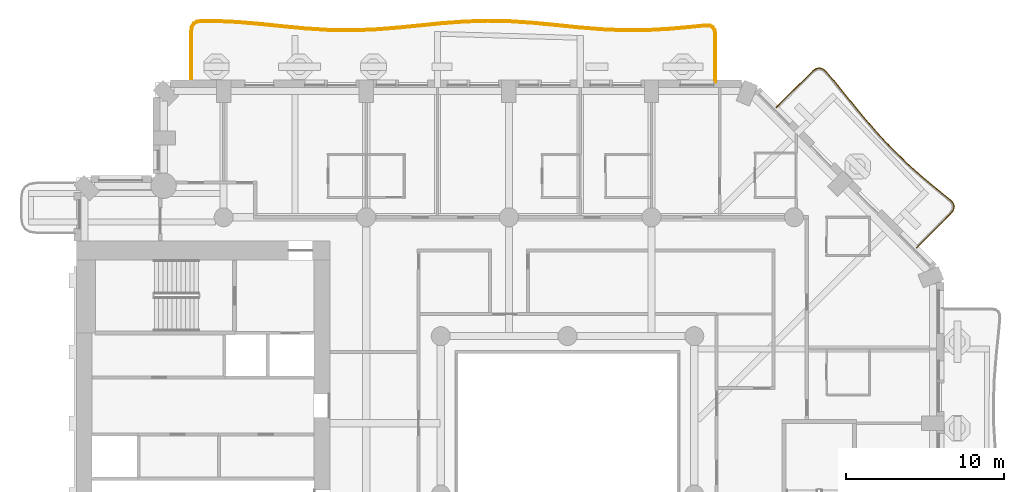
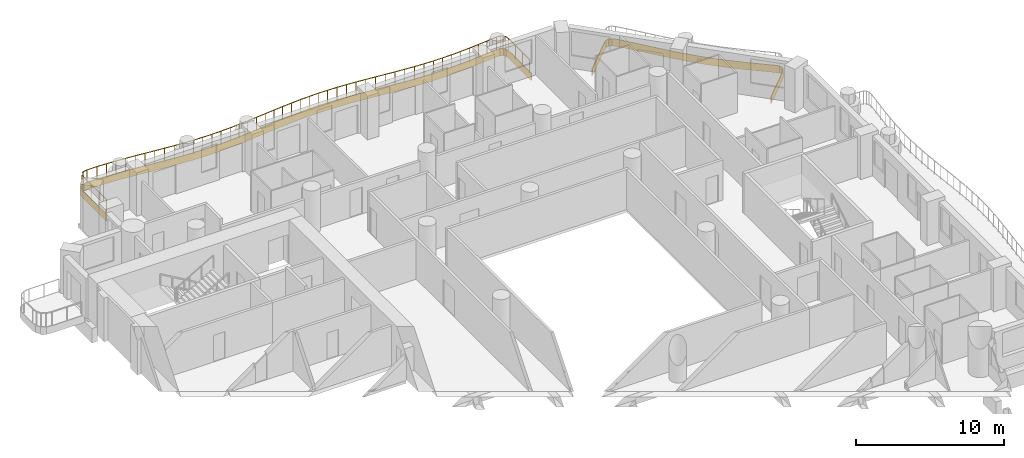
# One storey, part 18 of 20: 2 coverings, 1 railing.
"""IFC4 building model written with IfcOpenShell, lengths in metres."""

from ifc_helpers import new_model, si_unit, direction, frame, origin, origin_2d, place, context, subcontext, project, spatial, polyline, rectangle, outline, extrude, material, layer, layer_set, type_object, element, save


model = new_model("IFC4")

# Units and contexts
model_context = context("Model", 3, precision=1e-05, world=origin(), true_north=direction((0.0, 1.0)))
body_context = subcontext(model_context, "Body", "Model", "MODEL_VIEW")
ifc_project = project(units=[si_unit("LENGTHUNIT", "METRE"), si_unit("AREAUNIT", "SQUARE_METRE"), si_unit("VOLUMEUNIT", "CUBIC_METRE"), si_unit("PLANEANGLEUNIT", "RADIAN"), si_unit("MASSUNIT", "GRAM", prefix="KILO")], contexts=[model_context])

# Site, building, storey
site_placement = place(None, origin())
site = spatial("IfcSite", under=ifc_project, at=site_placement, CompositionType="ELEMENT")
building_placement = place(site_placement, origin())
building = spatial("IfcBuilding", under=site, at=building_placement, Name="Cypress Arch Tower", CompositionType="ELEMENT")
storey_placement = place(building_placement, frame((0.0, 0.0, 59.10009765625)))
storey = spatial("IfcBuildingStorey", under=building, at=storey_placement, Name="L08", CompositionType="ELEMENT", Elevation=59.10009765625)

# Coverings
ifc_material_1 = material(Name="White powder-coated aluminium fascia", Category="aluminium")
ifc_layer = layer(ifc_material_1, 0.050048828125)
ifc_layer_set = layer_set([ifc_layer], Name="Balcony fascia BF50")
covering_type = type_object("IfcCoveringType", Name="Balcony fascia BF50", PredefinedType="CLADDING", material=ifc_layer_set)
covering_1_placement = place(storey_placement, frame((0.0, 0.0, -0.60009765625)))
element("IfcCovering", 1, at=covering_1_placement, inside=storey, type_object=covering_type, Name="Balcony fascia L08-A07", PredefinedType="CLADDING", context=body_context, shape_type="SweptSolid", body=[
    extrude(outline(polyline([(16.43408203125, 26.72265625), (16.664306640625, 26.89501953125), (16.902099609375, 26.949462890625), (17.135009765625, 26.87646484375), (17.350830078125, 26.686767578125), (17.85009765625, 26.102294921875), (18.731201171875, 25.02294921875), (19.6123046875, 23.9453125), (20.51611328125, 22.89208984375), (21.460205078125, 21.879638671875), (22.452392578125, 20.915771484375), (23.489990234375, 19.99658203125), (24.559814453125, 19.1083984375), (25.1572265625, 18.623291015625), (25.35205078125, 18.412109375), (25.428955078125, 18.18212890625), (25.376220703125, 17.945556640625), (25.2041015625, 17.71533203125), (23.045166015625, 15.556396484375), (23.009765625, 15.591796875), (25.166259765625, 17.748291015625), (25.329833984375, 17.966796875), (25.376953125, 18.179443359375), (25.30810546875, 18.385986328125), (25.122802734375, 18.586669921875), (24.528076171875, 19.069580078125), (23.45751953125, 19.95849609375), (22.41845703125, 20.879150390625), (21.424560546875, 21.8447265625), (20.47900390625, 22.858642578125), (19.573974609375, 23.913330078125), (18.6923828125, 24.9912109375), (17.811767578125, 26.070068359375), (17.315185546875, 26.6513671875), (17.10986328125, 26.83203125), (16.900146484375, 26.897705078125), (16.685791015625, 26.8486328125), (16.466796875, 26.684814453125), (14.191650390625, 24.40966796875), (14.15625, 24.445068359375), (16.43408203125, 26.72265625)])), origin(), (0.0, 0.0, 1.0), 0.60009765625),
])
covering_2_placement = place(storey_placement, frame((0.0, 0.0, -0.60009765625)))
element("IfcCovering", 2, at=covering_2_placement, inside=storey, type_object=covering_type, Name="Balcony fascia L08-A08", PredefinedType="CLADDING", context=body_context, shape_type="SweptSolid", body=[
    extrude(outline(polyline([(-22.800048828125, 29.242919921875), (-22.757568359375, 29.539794921875), (-22.62451171875, 29.76220703125), (-22.403076171875, 29.896240234375), (-22.106201171875, 29.93994140625), (-21.309814453125, 29.943603515625), (-19.868408203125, 29.877685546875), (-18.427978515625, 29.755615234375), (-16.988525390625, 29.607421875), (-15.55029296875, 29.4697265625), (-14.113037109375, 29.37646484375), (-12.676513671875, 29.350830078125), (-11.23974609375, 29.399169921875), (-9.80224609375, 29.50927734375), (-8.36376953125, 29.654052734375), (-6.923828125, 29.798095703125), (-5.483154296875, 29.905517578125), (-4.04150390625, 29.94970703125), (-2.60009765625, 29.919677734375), (-1.158935546875, 29.822998046875), (0.281005859375, 29.68359375), (1.7197265625, 29.535888671875), (3.157470703125, 29.41650390625), (4.59423828125, 29.354736328125), (6.031005859375, 29.36572265625), (7.468017578125, 29.447021484375), (8.906005859375, 29.578369140625), (9.700927734375, 29.66064453125), (9.99853515625, 29.648681640625), (10.222900390625, 29.53662109375), (10.357421875, 29.324951171875), (10.39990234375, 29.0302734375), (10.39990234375, 26.0009765625), (10.35009765625, 26.0009765625), (10.35009765625, 29.026611328125), (10.3095703125, 29.30712890625), (10.18798828125, 29.498046875), (9.98583984375, 29.59912109375), (9.702392578125, 29.610595703125), (8.910888671875, 29.528564453125), (7.4716796875, 29.39697265625), (6.03271484375, 29.315673828125), (4.593505859375, 29.3046875), (3.154296875, 29.366455078125), (1.71533203125, 29.486083984375), (0.276123046875, 29.6337890625), (-1.1630859375, 29.773193359375), (-2.602294921875, 29.86962890625), (-4.041259765625, 29.899658203125), (-5.48046875, 29.85546875), (-6.919677734375, 29.748291015625), (-8.358642578125, 29.604248046875), (-9.7978515625, 29.45947265625), (-11.237060546875, 29.34912109375), (-12.676025390625, 29.301025390625), (-14.115234375, 29.32666015625), (-15.554443359375, 29.419921875), (-16.993408203125, 29.5576171875), (-18.4326171875, 29.705810546875), (-19.871826171875, 29.827880859375), (-21.310791015625, 29.893798828125), (-22.102294921875, 29.889892578125), (-22.3857421875, 29.84814453125), (-22.588134765625, 29.725830078125), (-22.70947265625, 29.522705078125), (-22.75, 29.2392578125), (-22.75, 26.0009765625), (-22.800048828125, 26.0009765625), (-22.800048828125, 29.242919921875)])), origin(), (0.0, 0.0, 1.0), 0.60009765625),
])

# Railing
ifc_material_2 = material(Name="Powder-coated steel posts and rods, 100 mm clear between rods", Category="steel")
railing_type = type_object("IfcRailingType", Name="Balcony guard GR1100", PredefinedType="GUARDRAIL", material=ifc_material_2)
railing_placement = place(storey_placement, frame((-22.699951171875, 26.14990234375, 0.0)))
element("IfcRailing", 3, at=railing_placement, inside=storey, type_object=railing_type, Name="Balcony guard L08-A08", PredefinedType="GUARDRAIL", context=body_context, shape_type="SweptSolid", body=[
    extrude(rectangle(XDim=0.050048828125, YDim=0.050048828125, at=origin_2d()), frame((0.0, 0.0, 1.0751953125), z_axis=(0.0, 1.0, 0.0), x_axis=(-1.0, 0.0, 0.0)), (0.0, 0.0, 1.0), 3.0859375),
    extrude(rectangle(XDim=0.050048828125, YDim=0.050048828125, at=origin_2d()), frame((0.0, 3.0859375, 1.0751953125), z_axis=(0.141421356237, 0.989949493661, 0.0), x_axis=(-0.989949493661, 0.141421356237, 0.0)), (0.0, 0.0, 1.0), 0.272705078125),
    extrude(rectangle(XDim=0.050048828125, YDim=0.050048828125, at=origin_2d()), frame((0.03857421875, 3.35595703125, 1.0751953125), z_axis=(0.513488560453, 0.858096438802, 0.0), x_axis=(-0.858096438802, 0.513488560453, 0.0)), (0.0, 0.0, 1.0), 0.2138671875),
    extrude(rectangle(XDim=0.050048828125, YDim=0.050048828125, at=origin_2d()), frame((0.1484375, 3.53955078125, 1.0751953125), z_axis=(0.855978679302, 0.517011122298, 0.0), x_axis=(-0.517011122298, 0.855978679302, 0.0)), (0.0, 0.0, 1.0), 0.2138671875),
    extrude(rectangle(XDim=0.050048828125, YDim=0.050048828125, at=origin_2d()), frame((0.33154296875, 3.650146484375, 1.0751953125), z_axis=(0.98929460177, 0.145932144877, 0.0), x_axis=(-0.145932144877, 0.98929460177, 0.0)), (0.0, 0.0, 1.0), 0.272705078125),
    extrude(rectangle(XDim=0.050048828125, YDim=0.050048828125, at=origin_2d()), frame((0.601318359375, 3.68994140625, 1.0751953125), z_axis=(0.999987670347, 0.004965798487, 0.0), x_axis=(-0.004965798487, 0.999987670347, 0.0)), (0.0, 0.0, 1.0), 0.78662109375),
    extrude(rectangle(XDim=0.050048828125, YDim=0.050048828125, at=origin_2d()), frame((1.387939453125, 3.69384765625, 1.0751953125), z_axis=(0.998957311977, -0.045654012389, 0.0), x_axis=(0.045654012389, 0.998957311977, 0.0)), (0.0, 0.0, 1.0), 1.4384765625),
    extrude(rectangle(XDim=0.050048828125, YDim=0.050048828125, at=origin_2d()), frame((2.824951171875, 3.628173828125, 1.0751953125), z_axis=(0.996415021106, -0.084599679157, 0.0), x_axis=(0.084599679157, 0.996415021106, 0.0)), (0.0, 0.0, 1.0), 1.44287109375),
    extrude(rectangle(XDim=0.050048828125, YDim=0.050048828125, at=origin_2d()), frame((4.2626953125, 3.506103515625, 1.0751953125), z_axis=(0.994736975583, -0.10246145328, 0.0), x_axis=(0.10246145328, 0.994736975583, 0.0)), (0.0, 0.0, 1.0), 1.4462890625),
    extrude(rectangle(XDim=0.050048828125, YDim=0.050048828125, at=origin_2d()), frame((5.701416015625, 3.35791015625, 1.0751953125), z_axis=(0.995444515606, -0.095342626092, 0.0), x_axis=(0.095342626092, 0.995444515606, 0.0)), (0.0, 0.0, 1.0), 1.44677734375),
    extrude(rectangle(XDim=0.050048828125, YDim=0.050048828125, at=origin_2d()), frame((7.1416015625, 3.219970703125, 1.0751953125), z_axis=(0.997912676628, -0.064577781208, 0.0), x_axis=(0.064577781208, 0.997912676628, 0.0)), (0.0, 0.0, 1.0), 1.444091796875),
    extrude(rectangle(XDim=0.050048828125, YDim=0.050048828125, at=origin_2d()), frame((8.582763671875, 3.126708984375, 1.0751953125), z_axis=(0.999841892345, -0.017781740972, 0.0), x_axis=(0.017781740972, 0.999841892345, 0.0)), (0.0, 0.0, 1.0), 1.441650390625),
    extrude(rectangle(XDim=0.050048828125, YDim=0.050048828125, at=origin_2d()), frame((10.024169921875, 3.10107421875, 1.0751953125), z_axis=(0.999438312765, 0.03351207213, 0.0), x_axis=(-0.03351207213, 0.999438312765, 0.0)), (0.0, 0.0, 1.0), 1.4423828125),
    extrude(rectangle(XDim=0.050048828125, YDim=0.050048828125, at=origin_2d()), frame((11.4658203125, 3.1494140625, 1.0751953125), z_axis=(0.997079281388, 0.076373468088, 0.0), x_axis=(-0.076373468088, 0.997079281388, 0.0)), (0.0, 0.0, 1.0), 1.44482421875),
    extrude(rectangle(XDim=0.050048828125, YDim=0.050048828125, at=origin_2d()), frame((12.906494140625, 3.259765625, 1.0751953125), z_axis=(0.994965097958, 0.100222022755, 0.0), x_axis=(-0.100222022755, 0.994965097958, 0.0)), (0.0, 0.0, 1.0), 1.447021484375),
    extrude(rectangle(XDim=0.050048828125, YDim=0.050048828125, at=origin_2d()), frame((14.34619140625, 3.40478515625, 1.0751953125), z_axis=(0.995040533805, 0.099470277395, 0.0), x_axis=(-0.099470277395, 0.995040533805, 0.0)), (0.0, 0.0, 1.0), 1.445556640625),
    extrude(rectangle(XDim=0.050048828125, YDim=0.050048828125, at=origin_2d()), frame((15.78466796875, 3.548583984375, 1.0751953125), z_axis=(0.997232055547, 0.074352050337, 0.0), x_axis=(-0.074352050337, 0.997232055547, 0.0)), (0.0, 0.0, 1.0), 1.44140625),
    extrude(rectangle(XDim=0.050048828125, YDim=0.050048828125, at=origin_2d()), frame((17.22216796875, 3.65576171875, 1.0751953125), z_axis=(0.99953256902, 0.030571939239, 0.0), x_axis=(-0.030571939239, 0.99953256902, 0.0)), (0.0, 0.0, 1.0), 1.4375),
    extrude(rectangle(XDim=0.050048828125, YDim=0.050048828125, at=origin_2d()), frame((18.658935546875, 3.69970703125, 1.0751953125), z_axis=(0.999785188871, -0.020726218019, 0.0), x_axis=(0.020726218019, 0.999785188871, 0.0)), (0.0, 0.0, 1.0), 1.43701171875),
    extrude(rectangle(XDim=0.050048828125, YDim=0.050048828125, at=origin_2d()), frame((20.095703125, 3.669921875, 1.0751953125), z_axis=(0.997755809066, -0.06695778875, 0.0), x_axis=(0.06695778875, 0.997755809066, 0.0)), (0.0, 0.0, 1.0), 1.440185546875),
    extrude(rectangle(XDim=0.050048828125, YDim=0.050048828125, at=origin_2d()), frame((21.53271484375, 3.573486328125, 1.0751953125), z_axis=(0.995336942788, -0.096459164007, 0.0), x_axis=(0.096459164007, 0.995336942788, 0.0)), (0.0, 0.0, 1.0), 1.4453125),
    extrude(rectangle(XDim=0.050048828125, YDim=0.050048828125, at=origin_2d()), frame((22.97119140625, 3.43408203125, 1.0751953125), z_axis=(0.994776607499, -0.102075957859, 0.0), x_axis=(0.102075957859, 0.994776607499, 0.0)), (0.0, 0.0, 1.0), 1.447021484375),
    extrude(rectangle(XDim=0.050048828125, YDim=0.050048828125, at=origin_2d()), frame((24.41064453125, 3.286376953125, 1.0751953125), z_axis=(0.99656901696, -0.082765901409, 0.0), x_axis=(0.082765901409, 0.99656901696, 0.0)), (0.0, 0.0, 1.0), 1.4453125),
    extrude(rectangle(XDim=0.050048828125, YDim=0.050048828125, at=origin_2d()), frame((25.85107421875, 3.166748046875, 1.0751953125), z_axis=(0.999075850175, -0.042981921739, 0.0), x_axis=(0.042981921739, 0.999075850175, 0.0)), (0.0, 0.0, 1.0), 1.442626953125),
    extrude(rectangle(XDim=0.050048828125, YDim=0.050048828125, at=origin_2d()), frame((27.29248046875, 3.104736328125, 1.0751953125), z_axis=(0.999969659265, 0.007789772113, 0.0), x_axis=(-0.007789772113, 0.999969659265, 0.0)), (0.0, 0.0, 1.0), 1.441650390625),
    extrude(rectangle(XDim=0.050048828125, YDim=0.050048828125, at=origin_2d()), frame((28.734130859375, 3.115966796875, 1.0751953125), z_axis=(0.998412631097, 0.056322447257, 0.0), x_axis=(-0.056322447257, 0.998412631097, 0.0)), (0.0, 0.0, 1.0), 1.443359375),
    extrude(rectangle(XDim=0.050048828125, YDim=0.050048828125, at=origin_2d()), frame((30.17529296875, 3.197265625, 1.0751953125), z_axis=(0.995852986785, 0.090977077945, 0.0), x_axis=(-0.090977077945, 0.995852986785, 0.0)), (0.0, 0.0, 1.0), 1.446533203125),
    extrude(rectangle(XDim=0.050048828125, YDim=0.050048828125, at=origin_2d()), frame((31.61572265625, 3.328857421875, 1.0751953125), z_axis=(0.994658026904, 0.103225043065, 0.0), x_axis=(-0.103225043065, 0.994658026904, 0.0)), (0.0, 0.0, 1.0), 0.792236328125),
    extrude(rectangle(XDim=0.050048828125, YDim=0.050048828125, at=origin_2d()), frame((32.40380859375, 3.41064453125, 1.0751953125), z_axis=(0.999167298929, -0.040800842515, 0.0), x_axis=(0.040800842515, 0.999167298929, 0.0)), (0.0, 0.0, 1.0), 0.269287109375),
    extrude(rectangle(XDim=0.050048828125, YDim=0.050048828125, at=origin_2d()), frame((32.6728515625, 3.399658203125, 1.0751953125), z_axis=(0.894669189592, -0.446729270581, 0.0), x_axis=(0.446729270581, 0.894669189592, 0.0)), (0.0, 0.0, 1.0), 0.20166015625),
    extrude(rectangle(XDim=0.050048828125, YDim=0.050048828125, at=origin_2d()), frame((32.853271484375, 3.3095703125, 1.0751953125), z_axis=(0.536953918941, -0.84361157468, 0.0), x_axis=(0.84361157468, 0.536953918941, 0.0)), (0.0, 0.0, 1.0), 0.201416015625),
    extrude(rectangle(XDim=0.050048828125, YDim=0.050048828125, at=origin_2d()), frame((32.96142578125, 3.1396484375, 1.0751953125), z_axis=(0.143197502639, -0.989694132163, 0.0), x_axis=(0.989694132163, 0.143197502639, 0.0)), (0.0, 0.0, 1.0), 0.269287109375),
    extrude(rectangle(XDim=0.050048828125, YDim=0.050048828125, at=origin_2d()), frame((33.0, 2.873046875, 1.0751953125), z_axis=(0.0, -1.0, 0.0), x_axis=(1.0, 0.0, 0.0)), (0.0, 0.0, 1.0), 2.873046875),
    extrude(rectangle(XDim=0.0400390625, YDim=0.0400390625, at=origin_2d()), origin(), (0.0, 0.0, 1.0), 1.050048828125),
    extrude(rectangle(XDim=0.0400390625, YDim=0.0400390625, at=origin_2d()), frame((0.0, 1.028564453125, 0.0)), (0.0, 0.0, 1.0), 1.050048828125),
    extrude(rectangle(XDim=0.0400390625, YDim=0.0400390625, at=origin_2d()), frame((0.0, 2.057373046875, 0.0)), (0.0, 0.0, 1.0), 1.050048828125),
    extrude(rectangle(XDim=0.0400390625, YDim=0.0400390625, at=origin_2d()), frame((0.0, 3.0859375, 0.0)), (0.0, 0.0, 1.0), 1.050048828125),
    extrude(rectangle(XDim=0.0400390625, YDim=0.0400390625, at=origin_2d()), frame((0.03857421875, 3.35595703125, 0.0)), (0.0, 0.0, 1.0), 1.050048828125),
    extrude(rectangle(XDim=0.0400390625, YDim=0.0400390625, at=origin_2d()), frame((0.1484375, 3.53955078125, 0.0)), (0.0, 0.0, 1.0), 1.050048828125),
    extrude(rectangle(XDim=0.0400390625, YDim=0.0400390625, at=origin_2d()), frame((0.33154296875, 3.650146484375, 0.0)), (0.0, 0.0, 1.0), 1.050048828125),
    extrude(rectangle(XDim=0.0400390625, YDim=0.0400390625, at=origin_2d()), frame((0.601318359375, 3.68994140625, 0.0)), (0.0, 0.0, 1.0), 1.050048828125),
    extrude(rectangle(XDim=0.0400390625, YDim=0.0400390625, at=origin_2d()), frame((1.387939453125, 3.69384765625, 0.0)), (0.0, 0.0, 1.0), 1.050048828125),
    extrude(rectangle(XDim=0.0400390625, YDim=0.0400390625, at=origin_2d()), frame((2.1064453125, 3.6611328125, 0.0)), (0.0, 0.0, 1.0), 1.050048828125),
    extrude(rectangle(XDim=0.0400390625, YDim=0.0400390625, at=origin_2d()), frame((2.824951171875, 3.628173828125, 0.0)), (0.0, 0.0, 1.0), 1.050048828125),
    extrude(rectangle(XDim=0.0400390625, YDim=0.0400390625, at=origin_2d()), frame((3.5439453125, 3.567138671875, 0.0)), (0.0, 0.0, 1.0), 1.050048828125),
    extrude(rectangle(XDim=0.0400390625, YDim=0.0400390625, at=origin_2d()), frame((4.2626953125, 3.506103515625, 0.0)), (0.0, 0.0, 1.0), 1.050048828125),
    extrude(rectangle(XDim=0.0400390625, YDim=0.0400390625, at=origin_2d()), frame((4.98193359375, 3.43212890625, 0.0)), (0.0, 0.0, 1.0), 1.050048828125),
    extrude(rectangle(XDim=0.0400390625, YDim=0.0400390625, at=origin_2d()), frame((5.701416015625, 3.35791015625, 0.0)), (0.0, 0.0, 1.0), 1.050048828125),
    extrude(rectangle(XDim=0.0400390625, YDim=0.0400390625, at=origin_2d()), frame((6.42138671875, 3.2890625, 0.0)), (0.0, 0.0, 1.0), 1.050048828125),
    extrude(rectangle(XDim=0.0400390625, YDim=0.0400390625, at=origin_2d()), frame((7.1416015625, 3.219970703125, 0.0)), (0.0, 0.0, 1.0), 1.050048828125),
    extrude(rectangle(XDim=0.0400390625, YDim=0.0400390625, at=origin_2d()), frame((7.8623046875, 3.17333984375, 0.0)), (0.0, 0.0, 1.0), 1.050048828125),
    extrude(rectangle(XDim=0.0400390625, YDim=0.0400390625, at=origin_2d()), frame((8.582763671875, 3.126708984375, 0.0)), (0.0, 0.0, 1.0), 1.050048828125),
    extrude(rectangle(XDim=0.0400390625, YDim=0.0400390625, at=origin_2d()), frame((9.303466796875, 3.11376953125, 0.0)), (0.0, 0.0, 1.0), 1.050048828125),
    extrude(rectangle(XDim=0.0400390625, YDim=0.0400390625, at=origin_2d()), frame((10.024169921875, 3.10107421875, 0.0)), (0.0, 0.0, 1.0), 1.050048828125),
    extrude(rectangle(XDim=0.0400390625, YDim=0.0400390625, at=origin_2d()), frame((10.7451171875, 3.125244140625, 0.0)), (0.0, 0.0, 1.0), 1.050048828125),
    extrude(rectangle(XDim=0.0400390625, YDim=0.0400390625, at=origin_2d()), frame((11.4658203125, 3.1494140625, 0.0)), (0.0, 0.0, 1.0), 1.050048828125),
    extrude(rectangle(XDim=0.0400390625, YDim=0.0400390625, at=origin_2d()), frame((12.18603515625, 3.20458984375, 0.0)), (0.0, 0.0, 1.0), 1.050048828125),
    extrude(rectangle(XDim=0.0400390625, YDim=0.0400390625, at=origin_2d()), frame((12.906494140625, 3.259765625, 0.0)), (0.0, 0.0, 1.0), 1.050048828125),
    extrude(rectangle(XDim=0.0400390625, YDim=0.0400390625, at=origin_2d()), frame((13.62646484375, 3.332275390625, 0.0)), (0.0, 0.0, 1.0), 1.050048828125),
    extrude(rectangle(XDim=0.0400390625, YDim=0.0400390625, at=origin_2d()), frame((14.34619140625, 3.40478515625, 0.0)), (0.0, 0.0, 1.0), 1.050048828125),
    extrude(rectangle(XDim=0.0400390625, YDim=0.0400390625, at=origin_2d()), frame((15.0654296875, 3.4765625, 0.0)), (0.0, 0.0, 1.0), 1.050048828125),
    extrude(rectangle(XDim=0.0400390625, YDim=0.0400390625, at=origin_2d()), frame((15.78466796875, 3.548583984375, 0.0)), (0.0, 0.0, 1.0), 1.050048828125),
    extrude(rectangle(XDim=0.0400390625, YDim=0.0400390625, at=origin_2d()), frame((16.50341796875, 3.60205078125, 0.0)), (0.0, 0.0, 1.0), 1.050048828125),
    extrude(rectangle(XDim=0.0400390625, YDim=0.0400390625, at=origin_2d()), frame((17.22216796875, 3.65576171875, 0.0)), (0.0, 0.0, 1.0), 1.050048828125),
    extrude(rectangle(XDim=0.0400390625, YDim=0.0400390625, at=origin_2d()), frame((17.9404296875, 3.677734375, 0.0)), (0.0, 0.0, 1.0), 1.050048828125),
    extrude(rectangle(XDim=0.0400390625, YDim=0.0400390625, at=origin_2d()), frame((18.658935546875, 3.69970703125, 0.0)), (0.0, 0.0, 1.0), 1.050048828125),
    extrude(rectangle(XDim=0.0400390625, YDim=0.0400390625, at=origin_2d()), frame((19.37744140625, 3.684814453125, 0.0)), (0.0, 0.0, 1.0), 1.050048828125),
    extrude(rectangle(XDim=0.0400390625, YDim=0.0400390625, at=origin_2d()), frame((20.095703125, 3.669921875, 0.0)), (0.0, 0.0, 1.0), 1.050048828125),
    extrude(rectangle(XDim=0.0400390625, YDim=0.0400390625, at=origin_2d()), frame((20.814208984375, 3.62158203125, 0.0)), (0.0, 0.0, 1.0), 1.050048828125),
    extrude(rectangle(XDim=0.0400390625, YDim=0.0400390625, at=origin_2d()), frame((21.53271484375, 3.573486328125, 0.0)), (0.0, 0.0, 1.0), 1.050048828125),
    extrude(rectangle(XDim=0.0400390625, YDim=0.0400390625, at=origin_2d()), frame((22.251953125, 3.50390625, 0.0)), (0.0, 0.0, 1.0), 1.050048828125),
    extrude(rectangle(XDim=0.0400390625, YDim=0.0400390625, at=origin_2d()), frame((22.97119140625, 3.43408203125, 0.0)), (0.0, 0.0, 1.0), 1.050048828125),
    extrude(rectangle(XDim=0.0400390625, YDim=0.0400390625, at=origin_2d()), frame((23.69091796875, 3.3603515625, 0.0)), (0.0, 0.0, 1.0), 1.050048828125),
    extrude(rectangle(XDim=0.0400390625, YDim=0.0400390625, at=origin_2d()), frame((24.41064453125, 3.286376953125, 0.0)), (0.0, 0.0, 1.0), 1.050048828125),
    extrude(rectangle(XDim=0.0400390625, YDim=0.0400390625, at=origin_2d()), frame((25.130859375, 3.2265625, 0.0)), (0.0, 0.0, 1.0), 1.050048828125),
    extrude(rectangle(XDim=0.0400390625, YDim=0.0400390625, at=origin_2d()), frame((25.85107421875, 3.166748046875, 0.0)), (0.0, 0.0, 1.0), 1.050048828125),
    extrude(rectangle(XDim=0.0400390625, YDim=0.0400390625, at=origin_2d()), frame((26.57177734375, 3.1357421875, 0.0)), (0.0, 0.0, 1.0), 1.050048828125),
    extrude(rectangle(XDim=0.0400390625, YDim=0.0400390625, at=origin_2d()), frame((27.29248046875, 3.104736328125, 0.0)), (0.0, 0.0, 1.0), 1.050048828125),
    extrude(rectangle(XDim=0.0400390625, YDim=0.0400390625, at=origin_2d()), frame((28.01318359375, 3.1103515625, 0.0)), (0.0, 0.0, 1.0), 1.050048828125),
    extrude(rectangle(XDim=0.0400390625, YDim=0.0400390625, at=origin_2d()), frame((28.734130859375, 3.115966796875, 0.0)), (0.0, 0.0, 1.0), 1.050048828125),
    extrude(rectangle(XDim=0.0400390625, YDim=0.0400390625, at=origin_2d()), frame((29.45458984375, 3.15673828125, 0.0)), (0.0, 0.0, 1.0), 1.050048828125),
    extrude(rectangle(XDim=0.0400390625, YDim=0.0400390625, at=origin_2d()), frame((30.17529296875, 3.197265625, 0.0)), (0.0, 0.0, 1.0), 1.050048828125),
    extrude(rectangle(XDim=0.0400390625, YDim=0.0400390625, at=origin_2d()), frame((30.8955078125, 3.26318359375, 0.0)), (0.0, 0.0, 1.0), 1.050048828125),
    extrude(rectangle(XDim=0.0400390625, YDim=0.0400390625, at=origin_2d()), frame((31.61572265625, 3.328857421875, 0.0)), (0.0, 0.0, 1.0), 1.050048828125),
    extrude(rectangle(XDim=0.0400390625, YDim=0.0400390625, at=origin_2d()), frame((32.40380859375, 3.41064453125, 0.0)), (0.0, 0.0, 1.0), 1.050048828125),
    extrude(rectangle(XDim=0.0400390625, YDim=0.0400390625, at=origin_2d()), frame((32.6728515625, 3.399658203125, 0.0)), (0.0, 0.0, 1.0), 1.050048828125),
    extrude(rectangle(XDim=0.0400390625, YDim=0.0400390625, at=origin_2d()), frame((32.853271484375, 3.3095703125, 0.0)), (0.0, 0.0, 1.0), 1.050048828125),
    extrude(rectangle(XDim=0.0400390625, YDim=0.0400390625, at=origin_2d()), frame((32.96142578125, 3.1396484375, 0.0)), (0.0, 0.0, 1.0), 1.050048828125),
    extrude(rectangle(XDim=0.0400390625, YDim=0.0400390625, at=origin_2d()), frame((33.0, 2.873046875, 0.0)), (0.0, 0.0, 1.0), 1.050048828125),
    extrude(rectangle(XDim=0.0400390625, YDim=0.0400390625, at=origin_2d()), frame((33.0, 1.915283203125, 0.0)), (0.0, 0.0, 1.0), 1.050048828125),
    extrude(rectangle(XDim=0.0400390625, YDim=0.0400390625, at=origin_2d()), frame((33.0, 0.957763671875, 0.0)), (0.0, 0.0, 1.0), 1.050048828125),
    extrude(rectangle(XDim=0.0400390625, YDim=0.0400390625, at=origin_2d()), frame((33.0, 0.0, 0.0)), (0.0, 0.0, 1.0), 1.050048828125),
])

save(model, "model.ifc")
